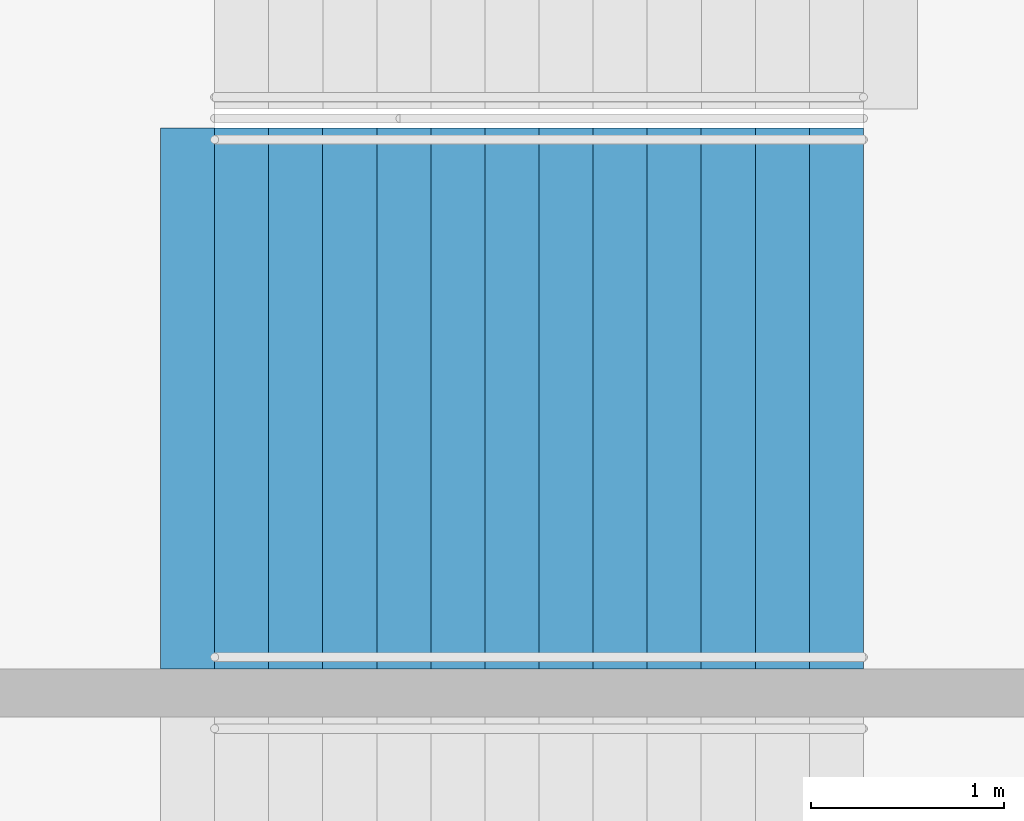
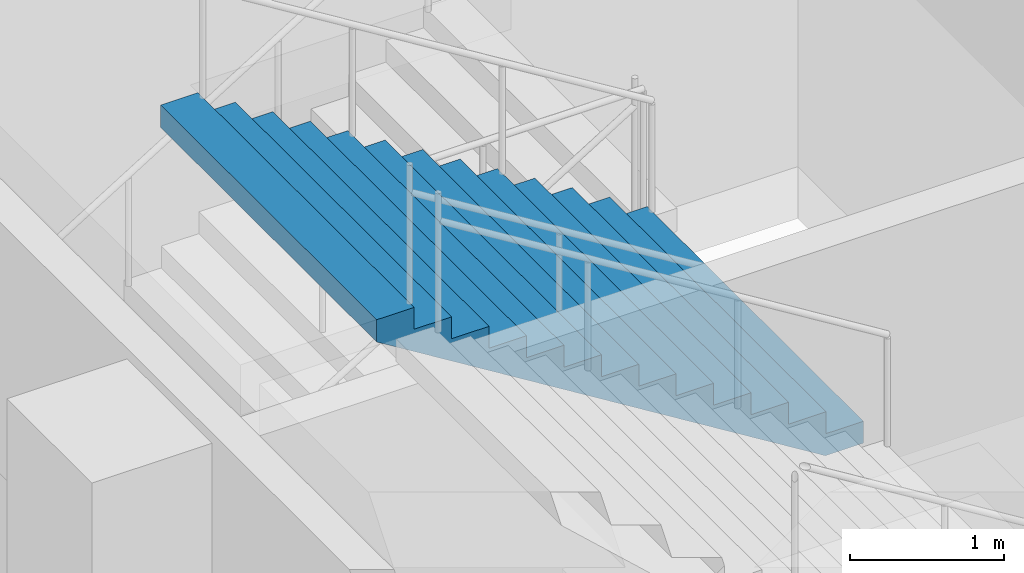
# One storey, part 147 of 199: 1 stair flight, 1 element without a shape of its own.
"""IFC4 building model written with IfcOpenShell, lengths in metres."""

import ifcopenshell
import ifcopenshell.guid

model = None  # the IFC model being written
_history = None  # IfcOwnerHistory: only IFC2X3 demands one
_inside = {}  # id of a spatial element -> (the spatial element, [elements in it])
_under = {}  # id of a project, library or spatial element -> (it, [spatial elements below it])
_declared = {}  # id of a project -> (the project, [libraries it declares])
_typed = {}  # id of a type object -> (the type object, [elements of that type])
_made_of = {}  # id of a material, layer set ... -> (it, [elements and type objects made of it])


def new_model(schema):
    """Start an empty IFC model of exactly this schema.

    Asked for "IFC4X3", IfcOpenShell would pick the latest addendum, in which some entities
    have other attributes; the version numbers below select the first issue.
    IFC2X3 requires an IfcOwnerHistory on every rooted entity: one is made here for all.
    """
    global model, _history
    if schema == "IFC4X3":
        model = ifcopenshell.file(schema_version=(4, 3, 0, 0))
    else:
        model = ifcopenshell.file(schema=schema)
    _inside.clear()
    _under.clear()
    _declared.clear()
    _typed.clear()
    _made_of.clear()
    _history = None
    if model.schema == "IFC2X3":
        org = make("IfcOrganization", Name="unknown")
        user = make(
            "IfcPersonAndOrganization",
            ThePerson=make("IfcPerson", FamilyName="unknown"),
            TheOrganization=org,
        )
        app = make(
            "IfcApplication",
            ApplicationDeveloper=org,
            Version="unknown",
            ApplicationFullName="unknown",
            ApplicationIdentifier="unknown",
        )
        _history = make(
            "IfcOwnerHistory",
            OwningUser=user,
            OwningApplication=app,
            ChangeAction="ADDED",
            CreationDate=0,
        )
    return model


def make(cls, **values):
    """One entity of the class cls with the attributes given. An attribute that is None is left unset."""
    return model.create_entity(
        cls, **{name: value for name, value in values.items() if value is not None}
    )


def rooted(cls, **values):
    """An entity with a GlobalId (a new one), such as an element, a storey or a relation."""
    return make(cls, GlobalId=ifcopenshell.guid.new(), OwnerHistory=_history, **values)


def si_unit(unit_type, name, prefix=None):
    """IfcSIUnit, for example si_unit("LENGTHUNIT", "METRE", prefix="MILLI")."""
    return make("IfcSIUnit", UnitType=unit_type, Prefix=prefix, Name=name)


def assignment(units):
    """IfcUnitAssignment: the units of a project."""
    return None if units is None else make("IfcUnitAssignment", Units=units)


def point(xyz):
    """IfcCartesianPoint."""
    return None if xyz is None else make("IfcCartesianPoint", Coordinates=xyz)


def direction(xyz):
    """IfcDirection."""
    return None if xyz is None else make("IfcDirection", DirectionRatios=xyz)


def frame(location, z_axis=None, x_axis=None):
    """IfcAxis2Placement3D, a coordinate frame: its origin and axes. An axis left out is left unset."""
    return make(
        "IfcAxis2Placement3D",
        Location=point(location),
        Axis=direction(z_axis),
        RefDirection=direction(x_axis),
    )


def origin():
    """The frame at (0, 0, 0) with its axes left unset."""
    return frame((0.0, 0.0, 0.0))


def place(relative_to, where):
    """IfcLocalPlacement: puts the frame where relative to a parent placement (None: the world)."""
    return make(
        "IfcLocalPlacement", PlacementRelTo=relative_to, RelativePlacement=where
    )


def context(
    kind, dimensions, precision=None, world=None, true_north=None, identifier=None
):
    """IfcGeometricRepresentationContext, for example the 3D "Model" context."""
    return make(
        "IfcGeometricRepresentationContext",
        ContextIdentifier=identifier,
        ContextType=kind,
        CoordinateSpaceDimension=dimensions,
        Precision=precision,
        WorldCoordinateSystem=world,
        TrueNorth=true_north,
    )


def subcontext(parent, identifier, kind, view, scale=None):
    """IfcGeometricRepresentationSubContext, for example "Body" below "Model"."""
    return make(
        "IfcGeometricRepresentationSubContext",
        ContextIdentifier=identifier,
        ContextType=kind,
        ParentContext=parent,
        TargetScale=scale,
        TargetView=view,
    )


def project(units=None, contexts=None):
    """IfcProject with its units and contexts."""
    return rooted(
        "IfcProject",
        Name="project",
        RepresentationContexts=contexts,
        UnitsInContext=assignment(units),
    )


def spatial(cls, under=None, at=None, **own):
    """A site, building, storey or space (cls), placed at a placement, below another one or the project."""
    s = rooted(cls, ObjectPlacement=at, **own)
    if under is not None:
        _under.setdefault(under.id(), (under, []))[1].append(s)
    return s


def faces_of(points, faces, orient=None, outer=None):
    """IfcFace entities. A face is a list of loops; a loop is a list of indices into points, from 0.

    orient and outer hold one flag for each loop. By default every Orientation is true, the
    first loop of a face is its IfcFaceOuterBound and the others are IfcFaceBound.
    """
    made = []
    for i, loops in enumerate(faces):
        bounds = []
        for j, loop in enumerate(loops):
            is_outer = j == 0 if outer is None else outer[i][j]
            bounds.append(
                make(
                    "IfcFaceOuterBound" if is_outer else "IfcFaceBound",
                    Bound=make("IfcPolyLoop", Polygon=[points[k] for k in loop]),
                    Orientation=True if orient is None else orient[i][j],
                )
            )
        made.append(make("IfcFace", Bounds=bounds))
    return made


def faceted_brep(points, faces, orient=None, outer=None, voids=None):
    """IfcFacetedBrep: a solid bounded by flat faces; with voids (closed shells), ...WithVoids."""
    shared = [point(p) for p in points]
    hull = make("IfcClosedShell", CfsFaces=faces_of(shared, faces, orient, outer))
    if voids is None:
        return make("IfcFacetedBrep", Outer=hull)
    return make(
        "IfcFacetedBrepWithVoids",
        Outer=hull,
        Voids=[
            make(cls, CfsFaces=faces_of(shared, fs, o, b)) for cls, fs, o, b in voids
        ],
    )


def shape(context_of_items, identifier, shape_type, items):
    """IfcShapeRepresentation: the items that make up one representation, for example the "Body"."""
    return make(
        "IfcShapeRepresentation",
        ContextOfItems=context_of_items,
        RepresentationIdentifier=identifier,
        RepresentationType=shape_type,
        Items=items,
    )


def material(Name=None, Category=None):
    """IfcMaterial."""
    return make("IfcMaterial", Name=Name, Category=Category)


def made_of(thing, what):
    """Note that an element or type object is made of a material, layer set ...; save() writes the relation."""
    if what is not None:
        _made_of.setdefault(what.id(), (what, []))[1].append(thing)
    return thing


def type_object(cls, material=None, **own):
    """A type object (cls), such as IfcWallType, which elements share."""
    return made_of(rooted(cls, **own), material)


def element(
    cls,
    number,
    at=None,
    inside=None,
    cuts=None,
    type_object=None,
    material=None,
    context=None,
    identifier="Body",
    shape_type=None,
    held_by="IfcProductDefinitionShape",
    body=None,
    shapes=None,
    **own,
):
    """One element of the class cls, such as IfcWall. Its Tag is "e" and its number.

    at: its placement. inside: the storey or other place that contains it. cuts: it is an
    opening in that element (IfcRelVoidsElement). A single representation is given by context,
    identifier, shape_type and body (its items); several are given by shapes. held_by: the class
    of the entity that holds the representations. save() writes the other relations.
    """
    e = rooted(cls, Tag="e%d" % number, ObjectPlacement=at, **own)
    if body is not None:
        shapes = [shape(context, identifier, shape_type, body)]
    if shapes is not None:
        e.Representation = make(held_by, Representations=shapes)
    if inside is not None:
        _inside.setdefault(inside.id(), (inside, []))[1].append(e)
    if cuts is not None:
        rooted(
            "IfcRelVoidsElement", RelatingBuildingElement=cuts, RelatedOpeningElement=e
        )
    if type_object is not None:
        _typed.setdefault(type_object.id(), (type_object, []))[1].append(e)
    return made_of(e, material)


def aggregate(whole, parts):
    """IfcRelAggregates: a whole, such as a stair, and the parts it consists of."""
    return rooted("IfcRelAggregates", RelatingObject=whole, RelatedObjects=parts)


def save(model, path):
    """Write the relations noted so far, then the file.

    IfcRelAggregates (storeys below a building ...), IfcRelContainedInSpatialStructure (elements
    in a storey), IfcRelDefinesByType, IfcRelAssociatesMaterial and IfcRelDeclares: one each for
    every whole, place, type object, material and project.
    """
    for whole, parts in _under.values():
        aggregate(whole, parts)
    for where, things in _inside.values():
        rooted(
            "IfcRelContainedInSpatialStructure",
            RelatedElements=things,
            RelatingStructure=where,
        )
    for kind, things in _typed.values():
        rooted("IfcRelDefinesByType", RelatedObjects=things, RelatingType=kind)
    for what, things in _made_of.values():
        rooted("IfcRelAssociatesMaterial", RelatedObjects=things, RelatingMaterial=what)
    for by, libraries in _declared.values():
        rooted("IfcRelDeclares", RelatingContext=by, RelatedDefinitions=libraries)
    model.write(path)


model = new_model("IFC4")

# Units and contexts
model_context = context("Model", 3, precision=1e-05, world=origin(), true_north=direction((0.0, 1.0)))
body_context = subcontext(model_context, "Body", "Model", "MODEL_VIEW")
ifc_project = project(units=[si_unit("LENGTHUNIT", "METRE"), si_unit("AREAUNIT", "SQUARE_METRE"), si_unit("VOLUMEUNIT", "CUBIC_METRE"), si_unit("PLANEANGLEUNIT", "RADIAN"), si_unit("MASSUNIT", "GRAM", prefix="KILO")], contexts=[model_context])

# Site, building, storey
site_placement = place(None, origin())
site = spatial("IfcSite", under=ifc_project, at=site_placement, CompositionType="ELEMENT")
building_placement = place(site_placement, origin())
building = spatial("IfcBuilding", under=site, at=building_placement, Name="Ogive Plaza Stadium", CompositionType="ELEMENT")
storey_placement = place(building_placement, frame((0.0, 0.0, 4.5)))
storey = spatial("IfcBuildingStorey", under=building, at=storey_placement, Name="L01", CompositionType="ELEMENT", Elevation=4.5)

# Stair, stair flight
ifc_material_1 = material(Name="Concrete C40/50", Category="concrete")
stair_type = type_object("IfcStairType", Name="Exit stair", PredefinedType="STRAIGHT_RUN_STAIR", material=ifc_material_1)
stair_placement = place(storey_placement, origin())
stair = element("IfcStair", 1, at=stair_placement, inside=storey, type_object=stair_type, Name="Exit stair ST06B L01 to L02", PredefinedType="STRAIGHT_RUN_STAIR")
ifc_material_2 = material(Name="Concrete C40/50", Category="concrete")
stair_flight_type = type_object("IfcStairFlightType", Name="Exit stair flight", PredefinedType="STRAIGHT", material=ifc_material_2)
stair_flight_placement = place(storey_placement, frame((79.7099609375, -20.97509765625, 2.25), z_axis=(0.0, 0.0, 1.0), x_axis=(-1.0, 0.0, 0.0)))
stair_flight = element("IfcStairFlight", 2, at=stair_flight_placement, type_object=stair_flight_type, Name="ST06B flight 2", NumberOfRisers=13, NumberOfTreads=12, PredefinedType="STRAIGHT", RiserHeight=0.173076923, TreadLength=0.28, context=body_context, shape_type="Brep", body=[
    faceted_brep([(0.28515625, -1.39990234375, 0.0), (3.639892578125, -1.39990234375, 2.07373046875), (3.639892578125, -1.39990234375, 2.25), (3.360107421875, -1.39990234375, 2.25), (3.360107421875, -1.39990234375, 2.076904296875), (3.080078125, -1.39990234375, 2.076904296875), (3.080078125, -1.39990234375, 1.90380859375), (2.800048828125, -1.39990234375, 1.90380859375), (2.800048828125, -1.39990234375, 1.730712890625), (2.52001953125, -1.39990234375, 1.730712890625), (2.52001953125, -1.39990234375, 1.5576171875), (2.239990234375, -1.39990234375, 1.5576171875), (2.239990234375, -1.39990234375, 1.384521484375), (1.9599609375, -1.39990234375, 1.384521484375), (1.9599609375, -1.39990234375, 1.21142578125), (1.679931640625, -1.39990234375, 1.21142578125), (1.679931640625, -1.39990234375, 1.03857421875), (1.39990234375, -1.39990234375, 1.03857421875), (1.39990234375, -1.39990234375, 0.865478515625), (1.1201171875, -1.39990234375, 0.865478515625), (1.1201171875, -1.39990234375, 0.6923828125), (0.840087890625, -1.39990234375, 0.6923828125), (0.840087890625, -1.39990234375, 0.519287109375), (0.56005859375, -1.39990234375, 0.519287109375), (0.56005859375, -1.39990234375, 0.34619140625), (0.280029296875, -1.39990234375, 0.34619140625), (0.280029296875, -1.39990234375, 0.173095703125), (0.0, -1.39990234375, 0.173095703125), (0.0, -1.39990234375, 0.0), (0.0, 1.39990234375, 0.0), (0.0, 1.39990234375, 0.173095703125), (0.280029296875, 1.39990234375, 0.173095703125), (0.280029296875, 1.39990234375, 0.34619140625), (0.56005859375, 1.39990234375, 0.34619140625), (0.56005859375, 1.39990234375, 0.519287109375), (0.840087890625, 1.39990234375, 0.519287109375), (0.840087890625, 1.39990234375, 0.6923828125), (1.1201171875, 1.39990234375, 0.6923828125), (1.1201171875, 1.39990234375, 0.865478515625), (1.39990234375, 1.39990234375, 0.865478515625), (1.39990234375, 1.39990234375, 1.03857421875), (1.679931640625, 1.39990234375, 1.03857421875), (1.679931640625, 1.39990234375, 1.21142578125), (1.9599609375, 1.39990234375, 1.21142578125), (1.9599609375, 1.39990234375, 1.384521484375), (2.239990234375, 1.39990234375, 1.384521484375), (2.239990234375, 1.39990234375, 1.5576171875), (2.52001953125, 1.39990234375, 1.5576171875), (2.52001953125, 1.39990234375, 1.730712890625), (2.800048828125, 1.39990234375, 1.730712890625), (2.800048828125, 1.39990234375, 1.90380859375), (3.080078125, 1.39990234375, 1.90380859375), (3.080078125, 1.39990234375, 2.076904296875), (3.360107421875, 1.39990234375, 2.076904296875), (3.360107421875, 1.39990234375, 2.25), (3.639892578125, 1.39990234375, 2.25), (3.639892578125, 1.39990234375, 2.07373046875), (0.28515625, 1.39990234375, 0.0), (0.28515625, -1.0888671875, 0.0), (3.639892578125, -1.0888671875, 2.07373046875), (0.28515625, -0.77783203125, 0.0), (3.639892578125, -0.77783203125, 2.07373046875), (0.28515625, -0.466796875, 0.0), (3.639892578125, -0.466796875, 2.07373046875), (0.28515625, -0.155517578125, 0.0), (3.639892578125, -0.155517578125, 2.07373046875), (0.28515625, 0.155517578125, 0.0), (3.639892578125, 0.155517578125, 2.07373046875), (0.28515625, 0.466796875, 0.0), (3.639892578125, 0.466796875, 2.07373046875), (0.28515625, 0.77783203125, 0.0), (3.639892578125, 0.77783203125, 2.07373046875), (0.28515625, 1.0888671875, 0.0), (3.639892578125, 1.0888671875, 2.07373046875), (3.639892578125, -1.0888671875, 2.25), (3.639892578125, -0.77783203125, 2.25), (3.639892578125, -0.466796875, 2.25), (3.639892578125, -0.155517578125, 2.25), (3.639892578125, 0.155517578125, 2.25), (3.639892578125, 0.466796875, 2.25), (3.639892578125, 0.77783203125, 2.25), (3.639892578125, 1.0888671875, 2.25), (3.360107421875, -1.0888671875, 2.25), (3.360107421875, -0.77783203125, 2.25), (3.360107421875, -0.466796875, 2.25), (3.360107421875, -0.155517578125, 2.25), (3.360107421875, 0.155517578125, 2.25), (3.360107421875, 0.466796875, 2.25), (3.360107421875, 0.77783203125, 2.25), (3.360107421875, 1.0888671875, 2.25), (3.360107421875, -1.0888671875, 2.076904296875), (3.360107421875, -0.77783203125, 2.076904296875), (3.360107421875, -0.466796875, 2.076904296875), (3.360107421875, -0.155517578125, 2.076904296875), (3.360107421875, 0.155517578125, 2.076904296875), (3.360107421875, 0.466796875, 2.076904296875), (3.360107421875, 0.77783203125, 2.076904296875), (3.360107421875, 1.0888671875, 2.076904296875), (3.080078125, -1.0888671875, 2.076904296875), (3.080078125, -0.77783203125, 2.076904296875), (3.080078125, -0.466796875, 2.076904296875), (3.080078125, -0.155517578125, 2.076904296875), (3.080078125, 0.155517578125, 2.076904296875), (3.080078125, 0.466796875, 2.076904296875), (3.080078125, 0.77783203125, 2.076904296875), (3.080078125, 1.0888671875, 2.076904296875), (3.080078125, -1.0888671875, 1.90380859375), (3.080078125, -0.77783203125, 1.90380859375), (3.080078125, -0.466796875, 1.90380859375), (3.080078125, -0.155517578125, 1.90380859375), (3.080078125, 0.155517578125, 1.90380859375), (3.080078125, 0.466796875, 1.90380859375), (3.080078125, 0.77783203125, 1.90380859375), (3.080078125, 1.0888671875, 1.90380859375), (2.800048828125, -1.0888671875, 1.90380859375), (2.800048828125, -0.77783203125, 1.90380859375), (2.800048828125, -0.466796875, 1.90380859375), (2.800048828125, -0.155517578125, 1.90380859375), (2.800048828125, 0.155517578125, 1.90380859375), (2.800048828125, 0.466796875, 1.90380859375), (2.800048828125, 0.77783203125, 1.90380859375), (2.800048828125, 1.0888671875, 1.90380859375), (2.800048828125, -1.0888671875, 1.730712890625), (2.800048828125, -0.77783203125, 1.730712890625), (2.800048828125, -0.466796875, 1.730712890625), (2.800048828125, -0.155517578125, 1.730712890625), (2.800048828125, 0.155517578125, 1.730712890625), (2.800048828125, 0.466796875, 1.730712890625), (2.800048828125, 0.77783203125, 1.730712890625), (2.800048828125, 1.0888671875, 1.730712890625), (2.52001953125, -1.0888671875, 1.730712890625), (2.52001953125, -0.77783203125, 1.730712890625), (2.52001953125, -0.466796875, 1.730712890625), (2.52001953125, -0.155517578125, 1.730712890625), (2.52001953125, 0.155517578125, 1.730712890625), (2.52001953125, 0.466796875, 1.730712890625), (2.52001953125, 0.77783203125, 1.730712890625), (2.52001953125, 1.0888671875, 1.730712890625), (2.52001953125, -1.0888671875, 1.5576171875), (2.52001953125, -0.77783203125, 1.5576171875), (2.52001953125, -0.466796875, 1.5576171875), (2.52001953125, -0.155517578125, 1.5576171875), (2.52001953125, 0.155517578125, 1.5576171875), (2.52001953125, 0.466796875, 1.5576171875), (2.52001953125, 0.77783203125, 1.5576171875), (2.52001953125, 1.0888671875, 1.5576171875), (2.239990234375, -1.0888671875, 1.5576171875), (2.239990234375, -0.77783203125, 1.5576171875), (2.239990234375, -0.466796875, 1.5576171875), (2.239990234375, -0.155517578125, 1.5576171875), (2.239990234375, 0.155517578125, 1.5576171875), (2.239990234375, 0.466796875, 1.5576171875), (2.239990234375, 0.77783203125, 1.5576171875), (2.239990234375, 1.0888671875, 1.5576171875), (2.239990234375, -1.0888671875, 1.384521484375), (2.239990234375, -0.77783203125, 1.384521484375), (2.239990234375, -0.466796875, 1.384521484375), (2.239990234375, -0.155517578125, 1.384521484375), (2.239990234375, 0.155517578125, 1.384521484375), (2.239990234375, 0.466796875, 1.384521484375), (2.239990234375, 0.77783203125, 1.384521484375), (2.239990234375, 1.0888671875, 1.384521484375), (1.9599609375, -1.0888671875, 1.384521484375), (1.9599609375, -0.77783203125, 1.384521484375), (1.9599609375, -0.466796875, 1.384521484375), (1.9599609375, -0.155517578125, 1.384521484375), (1.9599609375, 0.155517578125, 1.384521484375), (1.9599609375, 0.466796875, 1.384521484375), (1.9599609375, 0.77783203125, 1.384521484375), (1.9599609375, 1.0888671875, 1.384521484375), (1.9599609375, -1.0888671875, 1.21142578125), (1.9599609375, -0.77783203125, 1.21142578125), (1.9599609375, -0.466796875, 1.21142578125), (1.9599609375, -0.155517578125, 1.21142578125), (1.9599609375, 0.155517578125, 1.21142578125), (1.9599609375, 0.466796875, 1.21142578125), (1.9599609375, 0.77783203125, 1.21142578125), (1.9599609375, 1.0888671875, 1.21142578125), (1.679931640625, -1.0888671875, 1.21142578125), (1.679931640625, -0.77783203125, 1.21142578125), (1.679931640625, -0.466796875, 1.21142578125), (1.679931640625, -0.155517578125, 1.21142578125), (1.679931640625, 0.155517578125, 1.21142578125), (1.679931640625, 0.466796875, 1.21142578125), (1.679931640625, 0.77783203125, 1.21142578125), (1.679931640625, 1.0888671875, 1.21142578125), (1.679931640625, -1.0888671875, 1.03857421875), (1.679931640625, -0.77783203125, 1.03857421875), (1.679931640625, -0.466796875, 1.03857421875), (1.679931640625, -0.155517578125, 1.03857421875), (1.679931640625, 0.155517578125, 1.03857421875), (1.679931640625, 0.466796875, 1.03857421875), (1.679931640625, 0.77783203125, 1.03857421875), (1.679931640625, 1.0888671875, 1.03857421875), (1.39990234375, -1.0888671875, 1.03857421875), (1.39990234375, -0.77783203125, 1.03857421875), (1.39990234375, -0.466796875, 1.03857421875), (1.39990234375, -0.155517578125, 1.03857421875), (1.39990234375, 0.155517578125, 1.03857421875), (1.39990234375, 0.466796875, 1.03857421875), (1.39990234375, 0.77783203125, 1.03857421875), (1.39990234375, 1.0888671875, 1.03857421875), (1.39990234375, -1.0888671875, 0.865478515625), (1.39990234375, -0.77783203125, 0.865478515625), (1.39990234375, -0.466796875, 0.865478515625), (1.39990234375, -0.155517578125, 0.865478515625), (1.39990234375, 0.155517578125, 0.865478515625), (1.39990234375, 0.466796875, 0.865478515625), (1.39990234375, 0.77783203125, 0.865478515625), (1.39990234375, 1.0888671875, 0.865478515625), (1.1201171875, -1.0888671875, 0.865478515625), (1.1201171875, -0.77783203125, 0.865478515625), (1.1201171875, -0.466796875, 0.865478515625), (1.1201171875, -0.155517578125, 0.865478515625), (1.1201171875, 0.155517578125, 0.865478515625), (1.1201171875, 0.466796875, 0.865478515625), (1.1201171875, 0.77783203125, 0.865478515625), (1.1201171875, 1.0888671875, 0.865478515625), (1.1201171875, -1.0888671875, 0.6923828125), (1.1201171875, -0.77783203125, 0.6923828125), (1.1201171875, -0.466796875, 0.6923828125), (1.1201171875, -0.155517578125, 0.6923828125), (1.1201171875, 0.155517578125, 0.6923828125), (1.1201171875, 0.466796875, 0.6923828125), (1.1201171875, 0.77783203125, 0.6923828125), (1.1201171875, 1.0888671875, 0.6923828125), (0.840087890625, -1.0888671875, 0.6923828125), (0.840087890625, -0.77783203125, 0.6923828125), (0.840087890625, -0.466796875, 0.6923828125), (0.840087890625, -0.155517578125, 0.6923828125), (0.840087890625, 0.155517578125, 0.6923828125), (0.840087890625, 0.466796875, 0.6923828125), (0.840087890625, 0.77783203125, 0.6923828125), (0.840087890625, 1.0888671875, 0.6923828125), (0.840087890625, -1.0888671875, 0.519287109375), (0.840087890625, -0.77783203125, 0.519287109375), (0.840087890625, -0.466796875, 0.519287109375), (0.840087890625, -0.155517578125, 0.519287109375), (0.840087890625, 0.155517578125, 0.519287109375), (0.840087890625, 0.466796875, 0.519287109375), (0.840087890625, 0.77783203125, 0.519287109375), (0.840087890625, 1.0888671875, 0.519287109375), (0.56005859375, -1.0888671875, 0.519287109375), (0.56005859375, -0.77783203125, 0.519287109375), (0.56005859375, -0.466796875, 0.519287109375), (0.56005859375, -0.155517578125, 0.519287109375), (0.56005859375, 0.155517578125, 0.519287109375), (0.56005859375, 0.466796875, 0.519287109375), (0.56005859375, 0.77783203125, 0.519287109375), (0.56005859375, 1.0888671875, 0.519287109375), (0.56005859375, -1.0888671875, 0.34619140625), (0.56005859375, -0.77783203125, 0.34619140625), (0.56005859375, -0.466796875, 0.34619140625), (0.56005859375, -0.155517578125, 0.34619140625), (0.56005859375, 0.155517578125, 0.34619140625), (0.56005859375, 0.466796875, 0.34619140625), (0.56005859375, 0.77783203125, 0.34619140625), (0.56005859375, 1.0888671875, 0.34619140625), (0.280029296875, -1.0888671875, 0.34619140625), (0.280029296875, -0.77783203125, 0.34619140625), (0.280029296875, -0.466796875, 0.34619140625), (0.280029296875, -0.155517578125, 0.34619140625), (0.280029296875, 0.155517578125, 0.34619140625), (0.280029296875, 0.466796875, 0.34619140625), (0.280029296875, 0.77783203125, 0.34619140625), (0.280029296875, 1.0888671875, 0.34619140625), (0.280029296875, -1.0888671875, 0.173095703125), (0.280029296875, -0.77783203125, 0.173095703125), (0.280029296875, -0.466796875, 0.173095703125), (0.280029296875, -0.155517578125, 0.173095703125), (0.280029296875, 0.155517578125, 0.173095703125), (0.280029296875, 0.466796875, 0.173095703125), (0.280029296875, 0.77783203125, 0.173095703125), (0.280029296875, 1.0888671875, 0.173095703125), (0.0, -1.0888671875, 0.173095703125), (0.0, -0.77783203125, 0.173095703125), (0.0, -0.466796875, 0.173095703125), (0.0, -0.155517578125, 0.173095703125), (0.0, 0.155517578125, 0.173095703125), (0.0, 0.466796875, 0.173095703125), (0.0, 0.77783203125, 0.173095703125), (0.0, 1.0888671875, 0.173095703125), (0.0, -1.0888671875, 0.0), (0.0, -0.77783203125, 0.0), (0.0, -0.466796875, 0.0), (0.0, -0.155517578125, 0.0), (0.0, 0.155517578125, 0.0), (0.0, 0.466796875, 0.0), (0.0, 0.77783203125, 0.0), (0.0, 1.0888671875, 0.0)], [[[0, 1, 2, 3, 4, 5, 6, 7, 8, 9, 10, 11, 12, 13, 14, 15, 16, 17, 18, 19, 20, 21, 22, 23, 24, 25, 26, 27, 28]], [[29, 30, 31, 32, 33, 34, 35, 36, 37, 38, 39, 40, 41, 42, 43, 44, 45, 46, 47, 48, 49, 50, 51, 52, 53, 54, 55, 56, 57]], [[0, 58, 59, 1]], [[58, 60, 61, 59]], [[60, 62, 63, 61]], [[62, 64, 65, 63]], [[64, 66, 67, 65]], [[66, 68, 69, 67]], [[68, 70, 71, 69]], [[70, 72, 73, 71]], [[72, 57, 56, 73]], [[1, 59, 74, 2]], [[59, 61, 75, 74]], [[61, 63, 76, 75]], [[63, 65, 77, 76]], [[65, 67, 78, 77]], [[67, 69, 79, 78]], [[69, 71, 80, 79]], [[71, 73, 81, 80]], [[73, 56, 55, 81]], [[2, 74, 82, 3]], [[74, 75, 83, 82]], [[75, 76, 84, 83]], [[76, 77, 85, 84]], [[77, 78, 86, 85]], [[78, 79, 87, 86]], [[79, 80, 88, 87]], [[80, 81, 89, 88]], [[81, 55, 54, 89]], [[3, 82, 90, 4]], [[82, 83, 91, 90]], [[83, 84, 92, 91]], [[84, 85, 93, 92]], [[85, 86, 94, 93]], [[86, 87, 95, 94]], [[87, 88, 96, 95]], [[88, 89, 97, 96]], [[89, 54, 53, 97]], [[4, 90, 98, 5]], [[90, 91, 99, 98]], [[91, 92, 100, 99]], [[92, 93, 101, 100]], [[93, 94, 102, 101]], [[94, 95, 103, 102]], [[95, 96, 104, 103]], [[96, 97, 105, 104]], [[97, 53, 52, 105]], [[5, 98, 106, 6]], [[98, 99, 107, 106]], [[99, 100, 108, 107]], [[100, 101, 109, 108]], [[101, 102, 110, 109]], [[102, 103, 111, 110]], [[103, 104, 112, 111]], [[104, 105, 113, 112]], [[105, 52, 51, 113]], [[6, 106, 114, 7]], [[106, 107, 115, 114]], [[107, 108, 116, 115]], [[108, 109, 117, 116]], [[109, 110, 118, 117]], [[110, 111, 119, 118]], [[111, 112, 120, 119]], [[112, 113, 121, 120]], [[113, 51, 50, 121]], [[7, 114, 122, 8]], [[114, 115, 123, 122]], [[115, 116, 124, 123]], [[116, 117, 125, 124]], [[117, 118, 126, 125]], [[118, 119, 127, 126]], [[119, 120, 128, 127]], [[120, 121, 129, 128]], [[121, 50, 49, 129]], [[8, 122, 130, 9]], [[122, 123, 131, 130]], [[123, 124, 132, 131]], [[124, 125, 133, 132]], [[125, 126, 134, 133]], [[126, 127, 135, 134]], [[127, 128, 136, 135]], [[128, 129, 137, 136]], [[129, 49, 48, 137]], [[9, 130, 138, 10]], [[130, 131, 139, 138]], [[131, 132, 140, 139]], [[132, 133, 141, 140]], [[133, 134, 142, 141]], [[134, 135, 143, 142]], [[135, 136, 144, 143]], [[136, 137, 145, 144]], [[137, 48, 47, 145]], [[10, 138, 146, 11]], [[138, 139, 147, 146]], [[139, 140, 148, 147]], [[140, 141, 149, 148]], [[141, 142, 150, 149]], [[142, 143, 151, 150]], [[143, 144, 152, 151]], [[144, 145, 153, 152]], [[145, 47, 46, 153]], [[11, 146, 154, 12]], [[146, 147, 155, 154]], [[147, 148, 156, 155]], [[148, 149, 157, 156]], [[149, 150, 158, 157]], [[150, 151, 159, 158]], [[151, 152, 160, 159]], [[152, 153, 161, 160]], [[153, 46, 45, 161]], [[12, 154, 162, 13]], [[154, 155, 163, 162]], [[155, 156, 164, 163]], [[156, 157, 165, 164]], [[157, 158, 166, 165]], [[158, 159, 167, 166]], [[159, 160, 168, 167]], [[160, 161, 169, 168]], [[161, 45, 44, 169]], [[13, 162, 170, 14]], [[162, 163, 171, 170]], [[163, 164, 172, 171]], [[164, 165, 173, 172]], [[165, 166, 174, 173]], [[166, 167, 175, 174]], [[167, 168, 176, 175]], [[168, 169, 177, 176]], [[169, 44, 43, 177]], [[14, 170, 178, 15]], [[170, 171, 179, 178]], [[171, 172, 180, 179]], [[172, 173, 181, 180]], [[173, 174, 182, 181]], [[174, 175, 183, 182]], [[175, 176, 184, 183]], [[176, 177, 185, 184]], [[177, 43, 42, 185]], [[15, 178, 186, 16]], [[178, 179, 187, 186]], [[179, 180, 188, 187]], [[180, 181, 189, 188]], [[181, 182, 190, 189]], [[182, 183, 191, 190]], [[183, 184, 192, 191]], [[184, 185, 193, 192]], [[185, 42, 41, 193]], [[16, 186, 194, 17]], [[186, 187, 195, 194]], [[187, 188, 196, 195]], [[188, 189, 197, 196]], [[189, 190, 198, 197]], [[190, 191, 199, 198]], [[191, 192, 200, 199]], [[192, 193, 201, 200]], [[193, 41, 40, 201]], [[17, 194, 202, 18]], [[194, 195, 203, 202]], [[195, 196, 204, 203]], [[196, 197, 205, 204]], [[197, 198, 206, 205]], [[198, 199, 207, 206]], [[199, 200, 208, 207]], [[200, 201, 209, 208]], [[201, 40, 39, 209]], [[18, 202, 210, 19]], [[202, 203, 211, 210]], [[203, 204, 212, 211]], [[204, 205, 213, 212]], [[205, 206, 214, 213]], [[206, 207, 215, 214]], [[207, 208, 216, 215]], [[208, 209, 217, 216]], [[209, 39, 38, 217]], [[19, 210, 218, 20]], [[210, 211, 219, 218]], [[211, 212, 220, 219]], [[212, 213, 221, 220]], [[213, 214, 222, 221]], [[214, 215, 223, 222]], [[215, 216, 224, 223]], [[216, 217, 225, 224]], [[217, 38, 37, 225]], [[20, 218, 226, 21]], [[218, 219, 227, 226]], [[219, 220, 228, 227]], [[220, 221, 229, 228]], [[221, 222, 230, 229]], [[222, 223, 231, 230]], [[223, 224, 232, 231]], [[224, 225, 233, 232]], [[225, 37, 36, 233]], [[21, 226, 234, 22]], [[226, 227, 235, 234]], [[227, 228, 236, 235]], [[228, 229, 237, 236]], [[229, 230, 238, 237]], [[230, 231, 239, 238]], [[231, 232, 240, 239]], [[232, 233, 241, 240]], [[233, 36, 35, 241]], [[22, 234, 242, 23]], [[234, 235, 243, 242]], [[235, 236, 244, 243]], [[236, 237, 245, 244]], [[237, 238, 246, 245]], [[238, 239, 247, 246]], [[239, 240, 248, 247]], [[240, 241, 249, 248]], [[241, 35, 34, 249]], [[23, 242, 250, 24]], [[242, 243, 251, 250]], [[243, 244, 252, 251]], [[244, 245, 253, 252]], [[245, 246, 254, 253]], [[246, 247, 255, 254]], [[247, 248, 256, 255]], [[248, 249, 257, 256]], [[249, 34, 33, 257]], [[24, 250, 258, 25]], [[250, 251, 259, 258]], [[251, 252, 260, 259]], [[252, 253, 261, 260]], [[253, 254, 262, 261]], [[254, 255, 263, 262]], [[255, 256, 264, 263]], [[256, 257, 265, 264]], [[257, 33, 32, 265]], [[25, 258, 266, 26]], [[258, 259, 267, 266]], [[259, 260, 268, 267]], [[260, 261, 269, 268]], [[261, 262, 270, 269]], [[262, 263, 271, 270]], [[263, 264, 272, 271]], [[264, 265, 273, 272]], [[265, 32, 31, 273]], [[26, 266, 274, 27]], [[266, 267, 275, 274]], [[267, 268, 276, 275]], [[268, 269, 277, 276]], [[269, 270, 278, 277]], [[270, 271, 279, 278]], [[271, 272, 280, 279]], [[272, 273, 281, 280]], [[273, 31, 30, 281]], [[27, 274, 282, 28]], [[274, 275, 283, 282]], [[275, 276, 284, 283]], [[276, 277, 285, 284]], [[277, 278, 286, 285]], [[278, 279, 287, 286]], [[279, 280, 288, 287]], [[280, 281, 289, 288]], [[281, 30, 29, 289]], [[28, 282, 58, 0]], [[282, 283, 60, 58]], [[283, 284, 62, 60]], [[284, 285, 64, 62]], [[285, 286, 66, 64]], [[286, 287, 68, 66]], [[287, 288, 70, 68]], [[288, 289, 72, 70]], [[289, 29, 57, 72]]]),
])
aggregate(stair, [stair_flight])

save(model, "model.ifc")
